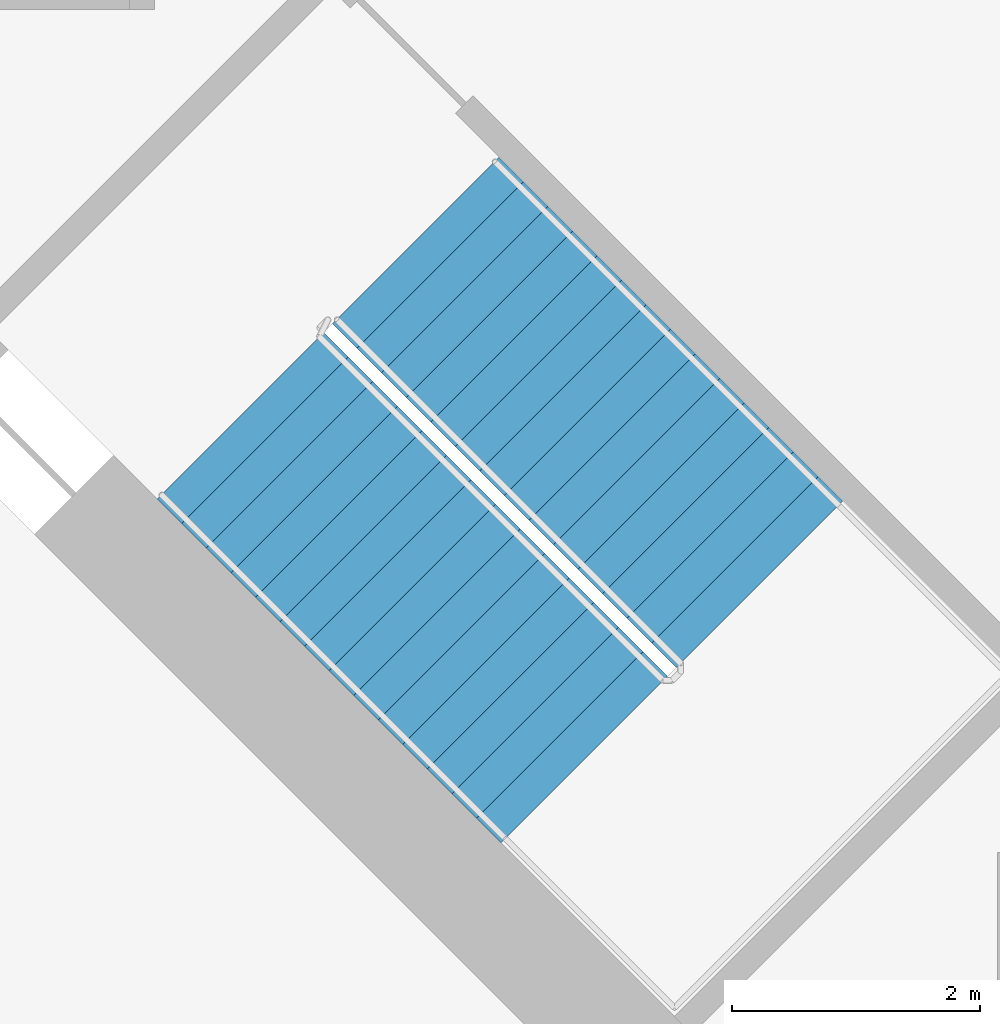
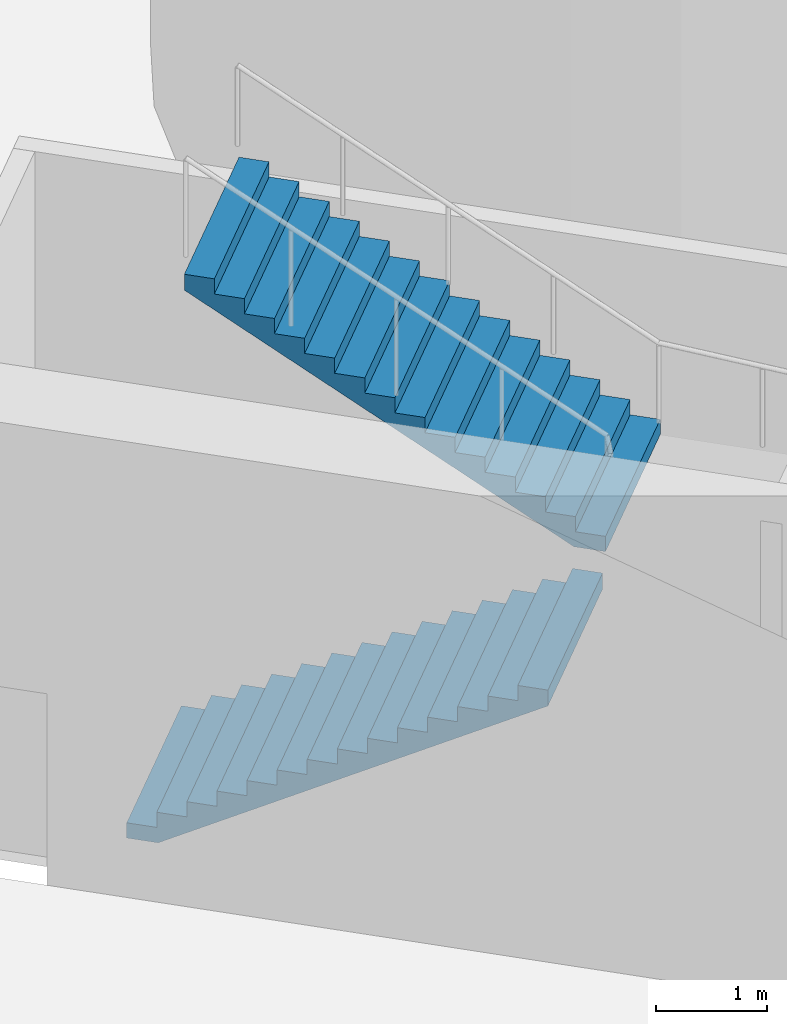
# One storey, part 11 of 24: 2 stair flights, 1 element without a shape of its own.
"""IFC4 building model written with IfcOpenShell, lengths in metres."""

from ifc_helpers import new_model, si_unit, direction, frame, origin, place, context, subcontext, project, spatial, triangles, material, type_object, element, aggregate, save


model = new_model("IFC4")

# Units and contexts
model_context = context("Model", 3, precision=1e-05, world=origin(), true_north=direction((0.0, 1.0)))
body_context = subcontext(model_context, "Body", "Model", "MODEL_VIEW")
ifc_project = project(units=[si_unit("LENGTHUNIT", "METRE"), si_unit("AREAUNIT", "SQUARE_METRE"), si_unit("VOLUMEUNIT", "CUBIC_METRE"), si_unit("PLANEANGLEUNIT", "RADIAN"), si_unit("MASSUNIT", "GRAM", prefix="KILO")], contexts=[model_context])

# Site, building, storey
site_placement = place(None, origin())
site = spatial("IfcSite", under=ifc_project, at=site_placement, CompositionType="ELEMENT")
building_placement = place(site_placement, origin())
building = spatial("IfcBuilding", under=site, at=building_placement, Name="Verdalira Terraces Hotel", CompositionType="ELEMENT")
storey_placement = place(building_placement, frame((0.0, 0.0, 14.0)))
storey = spatial("IfcBuildingStorey", under=building, at=storey_placement, Name="L02", CompositionType="ELEMENT", Elevation=14.0)

# Stair, stair flights
ifc_material_1 = material(Name="Concrete C40", Category="concrete")
stair_type = type_object("IfcStairType", Name="Core stair 30 risers 1900 mm wide", PredefinedType="HALF_TURN_STAIR", material=ifc_material_1)
stair_placement = place(storey_placement, origin())
stair = element("IfcStair", 1, at=stair_placement, inside=storey, type_object=stair_type, Name="L02 Exit stair ST2", PredefinedType="HALF_TURN_STAIR")
ifc_material_2 = material(Name="Concrete C40", Category="concrete")
stair_flight_type = type_object("IfcStairFlightType", Name="Core stair flight 30 risers 1900 mm wide", PredefinedType="STRAIGHT", material=ifc_material_2)
stair_flight_1_placement = place(storey_placement, frame((-10.005615, -7.177246, 0.0), z_axis=(0.0, 0.0, 1.0), x_axis=(0.707106781, -0.707106781, 0.0)))
stair_flight_1 = element("IfcStairFlight", 2, at=stair_flight_1_placement, type_object=stair_flight_type, Name="ST2 flight 1", NumberOfRisers=15, NumberOfTreads=14, PredefinedType="STRAIGHT", RiserHeight=0.166666667, TreadLength=0.28, context=body_context, shape_type="Tessellation", body=[
    triangles([(0.0, 0.949951, 0.0), (0.292969, 0.949951, 0.0), (3.919922, 0.949951, 2.158936), (0.0, -0.949951, 0.0), (0.292969, -0.949951, 0.0), (3.919922, -0.949951, 2.158936), (3.919922, 0.949951, 2.333252), (3.639893, 0.949951, 2.333252), (3.919922, -0.949951, 2.333252), (3.639893, -0.949951, 2.333252), (3.639893, 0.949951, 2.166748), (3.639893, -0.949951, 2.166748), (3.360107, 0.949951, 2.166748), (3.360107, -0.949951, 2.166748), (3.360107, 0.949951, 2.0), (3.360107, -0.949951, 2.0), (3.080078, 0.949951, 2.0), (3.080078, 0.949951, 1.833252), (3.080078, -0.949951, 2.0), (3.080078, -0.949951, 1.833252), (2.800049, 0.949951, 1.833252), (2.800049, 0.949951, 1.666748), (2.800049, -0.949951, 1.833252), (2.800049, -0.949951, 1.666748), (2.52002, 0.949951, 1.666748), (2.52002, 0.949951, 1.5), (2.52002, -0.949951, 1.666748), (2.52002, -0.949951, 1.5), (2.23999, 0.949951, 1.5), (2.23999, 0.949951, 1.333252), (2.23999, -0.949951, 1.5), (2.23999, -0.949951, 1.333252), (1.959961, 0.949951, 1.333252), (1.959961, 0.949951, 1.166748), (1.959961, -0.949951, 1.333252), (1.959961, -0.949951, 1.166748), (1.679932, 0.949951, 1.166748), (1.679932, 0.949951, 1.0), (1.679932, -0.949951, 1.166748), (1.679932, -0.949951, 1.0), (1.399902, 0.949951, 1.0), (1.399902, 0.949951, 0.833252), (1.399902, -0.949951, 1.0), (1.399902, -0.949951, 0.833252), (1.120117, 0.949951, 0.833252), (1.120117, 0.949951, 0.666748), (1.120117, -0.949951, 0.833252), (1.120117, -0.949951, 0.666748), (0.840088, 0.949951, 0.666748), (0.840088, 0.949951, 0.5), (0.840088, -0.949951, 0.666748), (0.840088, -0.949951, 0.5), (0.560059, 0.949951, 0.5), (0.560059, 0.949951, 0.333252), (0.560059, -0.949951, 0.5), (0.560059, -0.949951, 0.333252), (0.280029, 0.949951, 0.333252), (0.280029, 0.949951, 0.166748), (0.280029, -0.949951, 0.333252), (0.280029, -0.949951, 0.166748), (0.0, 0.949951, 0.166748), (0.0, -0.949951, 0.166748), (0.0, -0.890579, 0.0), (0.0, -0.890579, 0.166748), (0.0, -0.831207, 0.0), (0.0, -0.831207, 0.166748), (0.0, -0.771835, 0.0), (0.0, -0.771835, 0.166748), (0.0, -0.712463, 0.0), (0.0, -0.712463, 0.166748), (0.0, -0.653091, 0.0), (0.0, -0.653091, 0.166748), (0.0, -0.593719, 0.0), (0.0, -0.593719, 0.166748), (0.0, -0.534348, 0.0), (0.0, -0.534348, 0.166748), (0.0, -0.474976, 0.0), (0.0, -0.474976, 0.166748), (0.0, -0.415604, 0.0), (0.0, -0.415604, 0.166748), (0.0, -0.356232, 0.0), (0.0, -0.356232, 0.166748), (0.0, -0.29686, 0.0), (0.0, -0.29686, 0.166748), (0.0, -0.237488, 0.0), (0.0, -0.237488, 0.166748), (0.0, -0.178116, 0.0), (0.0, -0.178116, 0.166748), (0.0, -0.118744, 0.0), (0.0, -0.118744, 0.166748), (0.0, -0.059372, 0.0), (0.0, -0.059372, 0.166748), (0.0, 0.0, 0.0), (0.0, 0.0, 0.166748), (0.0, 0.059372, 0.0), (0.0, 0.059372, 0.166748), (0.0, 0.118744, 0.0), (0.0, 0.118744, 0.166748), (0.0, 0.178116, 0.0), (0.0, 0.178116, 0.166748), (0.0, 0.237488, 0.0), (0.0, 0.237488, 0.166748), (0.0, 0.29686, 0.0), (0.0, 0.29686, 0.166748), (0.0, 0.356232, 0.0), (0.0, 0.356232, 0.166748), (0.0, 0.415604, 0.0), (0.0, 0.415604, 0.166748), (0.0, 0.474976, 0.0), (0.0, 0.474976, 0.166748), (0.0, 0.534348, 0.0), (0.0, 0.534348, 0.166748), (0.0, 0.593719, 0.0), (0.0, 0.593719, 0.166748), (0.0, 0.653091, 0.0), (0.0, 0.653091, 0.166748), (0.0, 0.712463, 0.0), (0.0, 0.712463, 0.166748), (0.0, 0.771835, 0.0), (0.0, 0.771835, 0.166748), (0.0, 0.831207, 0.0), (0.0, 0.831207, 0.166748), (0.0, 0.890579, 0.0), (0.0, 0.890579, 0.166748), (3.919922, -0.890579, 2.333252), (3.919922, -0.831207, 2.333252), (3.919922, -0.771835, 2.333252), (3.919922, -0.712463, 2.333252), (3.919922, -0.653091, 2.333252), (3.919922, -0.593719, 2.333252), (3.919922, -0.534348, 2.333252), (3.919922, -0.474976, 2.333252), (3.919922, -0.415604, 2.333252), (3.919922, -0.356232, 2.333252), (3.919922, -0.29686, 2.333252), (3.919922, -0.237488, 2.333252), (3.919922, -0.178116, 2.333252), (3.919922, -0.118744, 2.333252), (3.919922, -0.059372, 2.333252), (3.919922, 0.0, 2.333252), (3.919922, 0.059372, 2.333252), (3.919922, 0.118744, 2.333252), (3.919922, 0.178116, 2.333252), (3.919922, 0.237488, 2.333252), (3.919922, 0.29686, 2.333252), (3.919922, 0.356232, 2.333252), (3.919922, 0.415604, 2.333252), (3.919922, 0.474976, 2.333252), (3.919922, 0.534348, 2.333252), (3.919922, 0.593719, 2.333252), (3.919922, 0.653091, 2.333252), (3.919922, 0.712463, 2.333252), (3.919922, 0.771835, 2.333252), (3.919922, 0.831207, 2.333252), (3.919922, 0.890579, 2.333252), (3.919922, -0.890579, 2.158936), (3.919922, -0.831207, 2.158936), (3.919922, -0.771835, 2.158936), (3.919922, -0.712463, 2.158936), (3.919922, -0.653091, 2.158936), (3.919922, -0.593719, 2.158936), (3.919922, -0.534348, 2.158936), (3.919922, -0.474976, 2.158936), (3.919922, -0.415604, 2.158936), (3.919922, -0.356232, 2.158936), (3.919922, -0.29686, 2.158936), (3.919922, -0.237488, 2.158936), (3.919922, -0.178116, 2.158936), (3.919922, -0.118744, 2.158936), (3.919922, -0.059372, 2.158936), (3.919922, 0.0, 2.158936), (3.919922, 0.059372, 2.158936), (3.919922, 0.118744, 2.158936), (3.919922, 0.178116, 2.158936), (3.919922, 0.237488, 2.158936), (3.919922, 0.29686, 2.158936), (3.919922, 0.356232, 2.158936), (3.919922, 0.415604, 2.158936), (3.919922, 0.474976, 2.158936), (3.919922, 0.534348, 2.158936), (3.919922, 0.593719, 2.158936), (3.919922, 0.653091, 2.158936), (3.919922, 0.712463, 2.158936), (3.919922, 0.771835, 2.158936), (3.919922, 0.831207, 2.158936), (3.919922, 0.890579, 2.158936)], [[1, 3, 2], [4, 5, 6], [3, 8, 7], [6, 9, 10], [3, 11, 8], [6, 10, 12], [3, 13, 11], [6, 12, 14], [3, 15, 13], [6, 14, 16], [15, 18, 17], [16, 19, 20], [3, 18, 15], [6, 16, 20], [18, 22, 21], [20, 23, 24], [3, 22, 18], [6, 20, 24], [22, 26, 25], [24, 27, 28], [3, 26, 22], [6, 24, 28], [26, 30, 29], [28, 31, 32], [3, 30, 26], [6, 28, 32], [30, 34, 33], [32, 35, 36], [3, 34, 30], [6, 32, 36], [34, 38, 37], [36, 39, 40], [3, 38, 34], [6, 36, 40], [38, 42, 41], [40, 43, 44], [3, 42, 38], [6, 40, 44], [42, 46, 45], [44, 47, 48], [3, 46, 42], [6, 44, 48], [46, 50, 49], [48, 51, 52], [3, 50, 46], [6, 48, 52], [50, 54, 53], [52, 55, 56], [3, 54, 50], [6, 52, 56], [1, 54, 3], [4, 6, 56], [54, 58, 57], [56, 59, 60], [1, 58, 54], [4, 56, 60], [58, 1, 61], [60, 62, 4], [4, 64, 63], [4, 62, 64], [63, 66, 65], [63, 64, 66], [65, 68, 67], [65, 66, 68], [67, 70, 69], [67, 68, 70], [69, 72, 71], [69, 70, 72], [71, 74, 73], [71, 72, 74], [73, 76, 75], [73, 74, 76], [75, 78, 77], [75, 76, 78], [77, 80, 79], [77, 78, 80], [79, 82, 81], [79, 80, 82], [81, 84, 83], [81, 82, 84], [83, 86, 85], [83, 84, 86], [85, 88, 87], [85, 86, 88], [87, 90, 89], [87, 88, 90], [89, 92, 91], [89, 90, 92], [91, 94, 93], [91, 92, 94], [93, 96, 95], [93, 94, 96], [95, 98, 97], [95, 96, 98], [97, 100, 99], [97, 98, 100], [99, 102, 101], [99, 100, 102], [101, 104, 103], [101, 102, 104], [103, 106, 105], [103, 104, 106], [105, 108, 107], [105, 106, 108], [107, 110, 109], [107, 108, 110], [109, 112, 111], [109, 110, 112], [111, 114, 113], [111, 112, 114], [113, 116, 115], [113, 114, 116], [115, 118, 117], [115, 116, 118], [117, 120, 119], [117, 118, 120], [119, 122, 121], [119, 120, 122], [121, 124, 123], [121, 122, 124], [123, 61, 1], [123, 124, 61], [62, 60, 64], [64, 60, 66], [66, 60, 68], [68, 60, 70], [70, 60, 72], [72, 60, 74], [74, 60, 76], [76, 60, 78], [78, 60, 80], [80, 60, 82], [82, 60, 84], [84, 60, 86], [86, 60, 88], [88, 60, 90], [90, 60, 92], [92, 60, 94], [94, 60, 96], [96, 60, 98], [98, 60, 100], [100, 60, 102], [102, 60, 104], [104, 60, 106], [106, 60, 108], [108, 60, 110], [110, 60, 112], [112, 60, 114], [114, 60, 116], [116, 60, 118], [118, 60, 120], [120, 60, 122], [122, 60, 124], [124, 60, 61], [61, 60, 58], [60, 57, 58], [60, 59, 57], [59, 54, 57], [59, 56, 54], [56, 53, 54], [56, 55, 53], [55, 50, 53], [55, 52, 50], [52, 49, 50], [52, 51, 49], [51, 46, 49], [51, 48, 46], [48, 45, 46], [48, 47, 45], [47, 42, 45], [47, 44, 42], [44, 41, 42], [44, 43, 41], [43, 38, 41], [43, 40, 38], [40, 37, 38], [40, 39, 37], [39, 34, 37], [39, 36, 34], [36, 33, 34], [36, 35, 33], [35, 30, 33], [35, 32, 30], [32, 29, 30], [32, 31, 29], [31, 26, 29], [31, 28, 26], [28, 25, 26], [28, 27, 25], [27, 22, 25], [27, 24, 22], [24, 21, 22], [24, 23, 21], [23, 18, 21], [23, 20, 18], [20, 17, 18], [20, 19, 17], [19, 15, 17], [19, 16, 15], [16, 13, 15], [16, 14, 13], [14, 11, 13], [14, 12, 11], [12, 8, 11], [12, 10, 8], [9, 125, 10], [125, 126, 10], [126, 127, 10], [127, 128, 10], [128, 129, 10], [129, 130, 10], [130, 131, 10], [131, 132, 10], [132, 133, 10], [133, 134, 10], [134, 135, 10], [135, 136, 10], [136, 137, 10], [137, 138, 10], [138, 139, 10], [139, 140, 10], [140, 141, 10], [141, 142, 10], [142, 143, 10], [143, 144, 10], [144, 145, 10], [145, 146, 10], [146, 147, 10], [147, 148, 10], [148, 149, 10], [149, 150, 10], [150, 151, 10], [151, 152, 10], [152, 153, 10], [153, 154, 10], [154, 155, 10], [155, 7, 10], [7, 8, 10], [9, 156, 125], [9, 6, 156], [125, 157, 126], [125, 156, 157], [126, 158, 127], [126, 157, 158], [127, 159, 128], [127, 158, 159], [128, 160, 129], [128, 159, 160], [129, 161, 130], [129, 160, 161], [130, 162, 131], [130, 161, 162], [131, 163, 132], [131, 162, 163], [132, 164, 133], [132, 163, 164], [133, 165, 134], [133, 164, 165], [134, 166, 135], [134, 165, 166], [135, 167, 136], [135, 166, 167], [136, 168, 137], [136, 167, 168], [137, 169, 138], [137, 168, 169], [138, 170, 139], [138, 169, 170], [139, 171, 140], [139, 170, 171], [140, 172, 141], [140, 171, 172], [141, 173, 142], [141, 172, 173], [142, 174, 143], [142, 173, 174], [143, 175, 144], [143, 174, 175], [144, 176, 145], [144, 175, 176], [145, 177, 146], [145, 176, 177], [146, 178, 147], [146, 177, 178], [147, 179, 148], [147, 178, 179], [148, 180, 149], [148, 179, 180], [149, 181, 150], [149, 180, 181], [150, 182, 151], [150, 181, 182], [151, 183, 152], [151, 182, 183], [152, 184, 153], [152, 183, 184], [153, 185, 154], [153, 184, 185], [154, 186, 155], [154, 185, 186], [155, 3, 7], [155, 186, 3], [6, 5, 156], [156, 5, 157], [157, 5, 158], [158, 5, 159], [159, 5, 160], [160, 5, 161], [161, 5, 162], [162, 5, 163], [163, 5, 164], [164, 5, 165], [165, 5, 166], [166, 5, 167], [167, 5, 168], [168, 5, 169], [169, 5, 170], [170, 5, 171], [171, 5, 172], [172, 5, 173], [173, 5, 174], [174, 5, 175], [175, 5, 176], [176, 5, 177], [177, 5, 178], [178, 5, 179], [179, 5, 180], [180, 5, 181], [181, 5, 182], [182, 5, 183], [183, 5, 184], [184, 5, 185], [185, 5, 186], [186, 5, 3], [3, 5, 2], [4, 63, 5], [63, 65, 5], [65, 67, 5], [67, 69, 5], [69, 71, 5], [71, 73, 5], [73, 75, 5], [75, 77, 5], [77, 79, 5], [79, 81, 5], [81, 83, 5], [83, 85, 5], [85, 87, 5], [87, 89, 5], [89, 91, 5], [91, 93, 5], [93, 95, 5], [95, 97, 5], [97, 99, 5], [99, 101, 5], [101, 103, 5], [103, 105, 5], [105, 107, 5], [107, 109, 5], [109, 111, 5], [111, 113, 5], [113, 115, 5], [115, 117, 5], [117, 119, 5], [119, 121, 5], [121, 123, 5], [123, 1, 5], [1, 2, 5]], closed=True),
])
stair_flight_2_placement = place(storey_placement, frame((-5.81958, -8.534668, 2.5), z_axis=(0.0, 0.0, 1.0), x_axis=(-0.707106781, 0.707106781, 0.0)))
stair_flight_2 = element("IfcStairFlight", 3, at=stair_flight_2_placement, type_object=stair_flight_type, Name="ST2 flight 2", NumberOfRisers=15, NumberOfTreads=14, PredefinedType="STRAIGHT", RiserHeight=0.166666667, TreadLength=0.28, context=body_context, shape_type="Tessellation", body=[
    triangles([(0.0, 0.949951, 0.0), (0.292969, 0.949951, 0.0), (3.919922, 0.949951, 2.158936), (0.0, -0.949951, 0.0), (0.292969, -0.949951, 0.0), (3.919922, -0.949951, 2.158936), (3.919922, 0.949951, 2.333252), (3.639893, 0.949951, 2.333252), (3.919922, -0.949951, 2.333252), (3.639893, -0.949951, 2.333252), (3.639893, 0.949951, 2.166748), (3.639893, -0.949951, 2.166748), (3.360107, 0.949951, 2.166748), (3.360107, -0.949951, 2.166748), (3.360107, 0.949951, 2.0), (3.360107, -0.949951, 2.0), (3.080078, 0.949951, 2.0), (3.080078, 0.949951, 1.833252), (3.080078, -0.949951, 2.0), (3.080078, -0.949951, 1.833252), (2.800049, 0.949951, 1.833252), (2.800049, 0.949951, 1.666748), (2.800049, -0.949951, 1.833252), (2.800049, -0.949951, 1.666748), (2.52002, 0.949951, 1.666748), (2.52002, 0.949951, 1.5), (2.52002, -0.949951, 1.666748), (2.52002, -0.949951, 1.5), (2.23999, 0.949951, 1.5), (2.23999, 0.949951, 1.333252), (2.23999, -0.949951, 1.5), (2.23999, -0.949951, 1.333252), (1.959961, 0.949951, 1.333252), (1.959961, 0.949951, 1.166748), (1.959961, -0.949951, 1.333252), (1.959961, -0.949951, 1.166748), (1.679932, 0.949951, 1.166748), (1.679932, 0.949951, 1.0), (1.679932, -0.949951, 1.166748), (1.679932, -0.949951, 1.0), (1.399902, 0.949951, 1.0), (1.399902, 0.949951, 0.833252), (1.399902, -0.949951, 1.0), (1.399902, -0.949951, 0.833252), (1.120117, 0.949951, 0.833252), (1.120117, 0.949951, 0.666748), (1.120117, -0.949951, 0.833252), (1.120117, -0.949951, 0.666748), (0.840088, 0.949951, 0.666748), (0.840088, 0.949951, 0.5), (0.840088, -0.949951, 0.666748), (0.840088, -0.949951, 0.5), (0.560059, 0.949951, 0.5), (0.560059, 0.949951, 0.333252), (0.560059, -0.949951, 0.5), (0.560059, -0.949951, 0.333252), (0.280029, 0.949951, 0.333252), (0.280029, 0.949951, 0.166748), (0.280029, -0.949951, 0.333252), (0.280029, -0.949951, 0.166748), (0.0, 0.949951, 0.166748), (0.0, -0.949951, 0.166748), (0.0, -0.890579, 0.0), (0.0, -0.890579, 0.166748), (0.0, -0.831207, 0.0), (0.0, -0.831207, 0.166748), (0.0, -0.771835, 0.0), (0.0, -0.771835, 0.166748), (0.0, -0.712463, 0.0), (0.0, -0.712463, 0.166748), (0.0, -0.653091, 0.0), (0.0, -0.653091, 0.166748), (0.0, -0.593719, 0.0), (0.0, -0.593719, 0.166748), (0.0, -0.534348, 0.0), (0.0, -0.534348, 0.166748), (0.0, -0.474976, 0.0), (0.0, -0.474976, 0.166748), (0.0, -0.415604, 0.0), (0.0, -0.415604, 0.166748), (0.0, -0.356232, 0.0), (0.0, -0.356232, 0.166748), (0.0, -0.29686, 0.0), (0.0, -0.29686, 0.166748), (0.0, -0.237488, 0.0), (0.0, -0.237488, 0.166748), (0.0, -0.178116, 0.0), (0.0, -0.178116, 0.166748), (0.0, -0.118744, 0.0), (0.0, -0.118744, 0.166748), (0.0, -0.059372, 0.0), (0.0, -0.059372, 0.166748), (0.0, 0.0, 0.0), (0.0, 0.0, 0.166748), (0.0, 0.059372, 0.0), (0.0, 0.059372, 0.166748), (0.0, 0.118744, 0.0), (0.0, 0.118744, 0.166748), (0.0, 0.178116, 0.0), (0.0, 0.178116, 0.166748), (0.0, 0.237488, 0.0), (0.0, 0.237488, 0.166748), (0.0, 0.29686, 0.0), (0.0, 0.29686, 0.166748), (0.0, 0.356232, 0.0), (0.0, 0.356232, 0.166748), (0.0, 0.415604, 0.0), (0.0, 0.415604, 0.166748), (0.0, 0.474976, 0.0), (0.0, 0.474976, 0.166748), (0.0, 0.534348, 0.0), (0.0, 0.534348, 0.166748), (0.0, 0.593719, 0.0), (0.0, 0.593719, 0.166748), (0.0, 0.653091, 0.0), (0.0, 0.653091, 0.166748), (0.0, 0.712463, 0.0), (0.0, 0.712463, 0.166748), (0.0, 0.771835, 0.0), (0.0, 0.771835, 0.166748), (0.0, 0.831207, 0.0), (0.0, 0.831207, 0.166748), (0.0, 0.890579, 0.0), (0.0, 0.890579, 0.166748), (3.919922, -0.890579, 2.333252), (3.919922, -0.831207, 2.333252), (3.919922, -0.771835, 2.333252), (3.919922, -0.712463, 2.333252), (3.919922, -0.653091, 2.333252), (3.919922, -0.593719, 2.333252), (3.919922, -0.534348, 2.333252), (3.919922, -0.474976, 2.333252), (3.919922, -0.415604, 2.333252), (3.919922, -0.356232, 2.333252), (3.919922, -0.29686, 2.333252), (3.919922, -0.237488, 2.333252), (3.919922, -0.178116, 2.333252), (3.919922, -0.118744, 2.333252), (3.919922, -0.059372, 2.333252), (3.919922, 0.0, 2.333252), (3.919922, 0.059372, 2.333252), (3.919922, 0.118744, 2.333252), (3.919922, 0.178116, 2.333252), (3.919922, 0.237488, 2.333252), (3.919922, 0.29686, 2.333252), (3.919922, 0.356232, 2.333252), (3.919922, 0.415604, 2.333252), (3.919922, 0.474976, 2.333252), (3.919922, 0.534348, 2.333252), (3.919922, 0.593719, 2.333252), (3.919922, 0.653091, 2.333252), (3.919922, 0.712463, 2.333252), (3.919922, 0.771835, 2.333252), (3.919922, 0.831207, 2.333252), (3.919922, 0.890579, 2.333252), (3.919922, -0.890579, 2.158936), (3.919922, -0.831207, 2.158936), (3.919922, -0.771835, 2.158936), (3.919922, -0.712463, 2.158936), (3.919922, -0.653091, 2.158936), (3.919922, -0.593719, 2.158936), (3.919922, -0.534348, 2.158936), (3.919922, -0.474976, 2.158936), (3.919922, -0.415604, 2.158936), (3.919922, -0.356232, 2.158936), (3.919922, -0.29686, 2.158936), (3.919922, -0.237488, 2.158936), (3.919922, -0.178116, 2.158936), (3.919922, -0.118744, 2.158936), (3.919922, -0.059372, 2.158936), (3.919922, 0.0, 2.158936), (3.919922, 0.059372, 2.158936), (3.919922, 0.118744, 2.158936), (3.919922, 0.178116, 2.158936), (3.919922, 0.237488, 2.158936), (3.919922, 0.29686, 2.158936), (3.919922, 0.356232, 2.158936), (3.919922, 0.415604, 2.158936), (3.919922, 0.474976, 2.158936), (3.919922, 0.534348, 2.158936), (3.919922, 0.593719, 2.158936), (3.919922, 0.653091, 2.158936), (3.919922, 0.712463, 2.158936), (3.919922, 0.771835, 2.158936), (3.919922, 0.831207, 2.158936), (3.919922, 0.890579, 2.158936)], [[1, 3, 2], [4, 5, 6], [3, 8, 7], [6, 9, 10], [3, 11, 8], [6, 10, 12], [3, 13, 11], [6, 12, 14], [3, 15, 13], [6, 14, 16], [15, 18, 17], [16, 19, 20], [3, 18, 15], [6, 16, 20], [18, 22, 21], [20, 23, 24], [3, 22, 18], [6, 20, 24], [22, 26, 25], [24, 27, 28], [3, 26, 22], [6, 24, 28], [26, 30, 29], [28, 31, 32], [3, 30, 26], [6, 28, 32], [30, 34, 33], [32, 35, 36], [3, 34, 30], [6, 32, 36], [34, 38, 37], [36, 39, 40], [3, 38, 34], [6, 36, 40], [38, 42, 41], [40, 43, 44], [3, 42, 38], [6, 40, 44], [42, 46, 45], [44, 47, 48], [3, 46, 42], [6, 44, 48], [46, 50, 49], [48, 51, 52], [3, 50, 46], [6, 48, 52], [50, 54, 53], [52, 55, 56], [3, 54, 50], [6, 52, 56], [1, 54, 3], [4, 6, 56], [54, 58, 57], [56, 59, 60], [1, 58, 54], [4, 56, 60], [58, 1, 61], [60, 62, 4], [4, 64, 63], [4, 62, 64], [63, 66, 65], [63, 64, 66], [65, 68, 67], [65, 66, 68], [67, 70, 69], [67, 68, 70], [69, 72, 71], [69, 70, 72], [71, 74, 73], [71, 72, 74], [73, 76, 75], [73, 74, 76], [75, 78, 77], [75, 76, 78], [77, 80, 79], [77, 78, 80], [79, 82, 81], [79, 80, 82], [81, 84, 83], [81, 82, 84], [83, 86, 85], [83, 84, 86], [85, 88, 87], [85, 86, 88], [87, 90, 89], [87, 88, 90], [89, 92, 91], [89, 90, 92], [91, 94, 93], [91, 92, 94], [93, 96, 95], [93, 94, 96], [95, 98, 97], [95, 96, 98], [97, 100, 99], [97, 98, 100], [99, 102, 101], [99, 100, 102], [101, 104, 103], [101, 102, 104], [103, 106, 105], [103, 104, 106], [105, 108, 107], [105, 106, 108], [107, 110, 109], [107, 108, 110], [109, 112, 111], [109, 110, 112], [111, 114, 113], [111, 112, 114], [113, 116, 115], [113, 114, 116], [115, 118, 117], [115, 116, 118], [117, 120, 119], [117, 118, 120], [119, 122, 121], [119, 120, 122], [121, 124, 123], [121, 122, 124], [123, 61, 1], [123, 124, 61], [62, 60, 64], [64, 60, 66], [66, 60, 68], [68, 60, 70], [70, 60, 72], [72, 60, 74], [74, 60, 76], [76, 60, 78], [78, 60, 80], [80, 60, 82], [82, 60, 84], [84, 60, 86], [86, 60, 88], [88, 60, 90], [90, 60, 92], [92, 60, 94], [94, 60, 96], [96, 60, 98], [98, 60, 100], [100, 60, 102], [102, 60, 104], [104, 60, 106], [106, 60, 108], [108, 60, 110], [110, 60, 112], [112, 60, 114], [114, 60, 116], [116, 60, 118], [118, 60, 120], [120, 60, 122], [122, 60, 124], [124, 60, 61], [61, 60, 58], [60, 57, 58], [60, 59, 57], [59, 54, 57], [59, 56, 54], [56, 53, 54], [56, 55, 53], [55, 50, 53], [55, 52, 50], [52, 49, 50], [52, 51, 49], [51, 46, 49], [51, 48, 46], [48, 45, 46], [48, 47, 45], [47, 42, 45], [47, 44, 42], [44, 41, 42], [44, 43, 41], [43, 38, 41], [43, 40, 38], [40, 37, 38], [40, 39, 37], [39, 34, 37], [39, 36, 34], [36, 33, 34], [36, 35, 33], [35, 30, 33], [35, 32, 30], [32, 29, 30], [32, 31, 29], [31, 26, 29], [31, 28, 26], [28, 25, 26], [28, 27, 25], [27, 22, 25], [27, 24, 22], [24, 21, 22], [24, 23, 21], [23, 18, 21], [23, 20, 18], [20, 17, 18], [20, 19, 17], [19, 15, 17], [19, 16, 15], [16, 13, 15], [16, 14, 13], [14, 11, 13], [14, 12, 11], [12, 8, 11], [12, 10, 8], [9, 125, 10], [125, 126, 10], [126, 127, 10], [127, 128, 10], [128, 129, 10], [129, 130, 10], [130, 131, 10], [131, 132, 10], [132, 133, 10], [133, 134, 10], [134, 135, 10], [135, 136, 10], [136, 137, 10], [137, 138, 10], [138, 139, 10], [139, 140, 10], [140, 141, 10], [141, 142, 10], [142, 143, 10], [143, 144, 10], [144, 145, 10], [145, 146, 10], [146, 147, 10], [147, 148, 10], [148, 149, 10], [149, 150, 10], [150, 151, 10], [151, 152, 10], [152, 153, 10], [153, 154, 10], [154, 155, 10], [155, 7, 10], [7, 8, 10], [9, 156, 125], [9, 6, 156], [125, 157, 126], [125, 156, 157], [126, 158, 127], [126, 157, 158], [127, 159, 128], [127, 158, 159], [128, 160, 129], [128, 159, 160], [129, 161, 130], [129, 160, 161], [130, 162, 131], [130, 161, 162], [131, 163, 132], [131, 162, 163], [132, 164, 133], [132, 163, 164], [133, 165, 134], [133, 164, 165], [134, 166, 135], [134, 165, 166], [135, 167, 136], [135, 166, 167], [136, 168, 137], [136, 167, 168], [137, 169, 138], [137, 168, 169], [138, 170, 139], [138, 169, 170], [139, 171, 140], [139, 170, 171], [140, 172, 141], [140, 171, 172], [141, 173, 142], [141, 172, 173], [142, 174, 143], [142, 173, 174], [143, 175, 144], [143, 174, 175], [144, 176, 145], [144, 175, 176], [145, 177, 146], [145, 176, 177], [146, 178, 147], [146, 177, 178], [147, 179, 148], [147, 178, 179], [148, 180, 149], [148, 179, 180], [149, 181, 150], [149, 180, 181], [150, 182, 151], [150, 181, 182], [151, 183, 152], [151, 182, 183], [152, 184, 153], [152, 183, 184], [153, 185, 154], [153, 184, 185], [154, 186, 155], [154, 185, 186], [155, 3, 7], [155, 186, 3], [6, 5, 156], [156, 5, 157], [157, 5, 158], [158, 5, 159], [159, 5, 160], [160, 5, 161], [161, 5, 162], [162, 5, 163], [163, 5, 164], [164, 5, 165], [165, 5, 166], [166, 5, 167], [167, 5, 168], [168, 5, 169], [169, 5, 170], [170, 5, 171], [171, 5, 172], [172, 5, 173], [173, 5, 174], [174, 5, 175], [175, 5, 176], [176, 5, 177], [177, 5, 178], [178, 5, 179], [179, 5, 180], [180, 5, 181], [181, 5, 182], [182, 5, 183], [183, 5, 184], [184, 5, 185], [185, 5, 186], [186, 5, 3], [3, 5, 2], [4, 63, 5], [63, 65, 5], [65, 67, 5], [67, 69, 5], [69, 71, 5], [71, 73, 5], [73, 75, 5], [75, 77, 5], [77, 79, 5], [79, 81, 5], [81, 83, 5], [83, 85, 5], [85, 87, 5], [87, 89, 5], [89, 91, 5], [91, 93, 5], [93, 95, 5], [95, 97, 5], [97, 99, 5], [99, 101, 5], [101, 103, 5], [103, 105, 5], [105, 107, 5], [107, 109, 5], [109, 111, 5], [111, 113, 5], [113, 115, 5], [115, 117, 5], [117, 119, 5], [119, 121, 5], [121, 123, 5], [123, 1, 5], [1, 2, 5]], closed=True),
])
aggregate(stair, [stair_flight_1, stair_flight_2])

save(model, "model.ifc")
